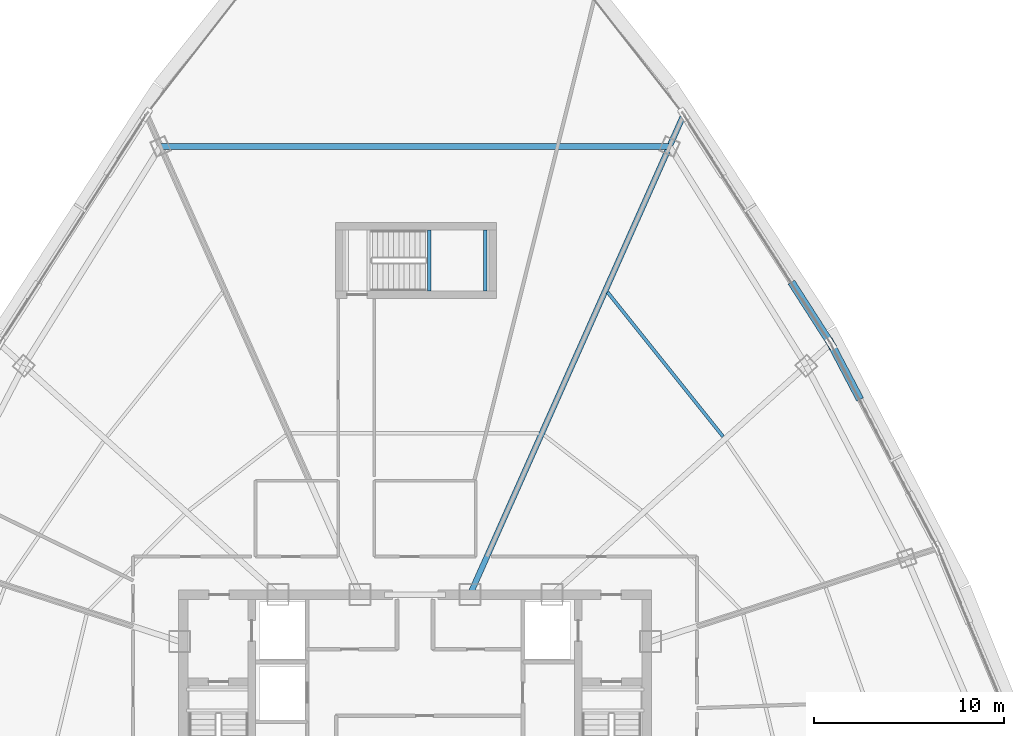
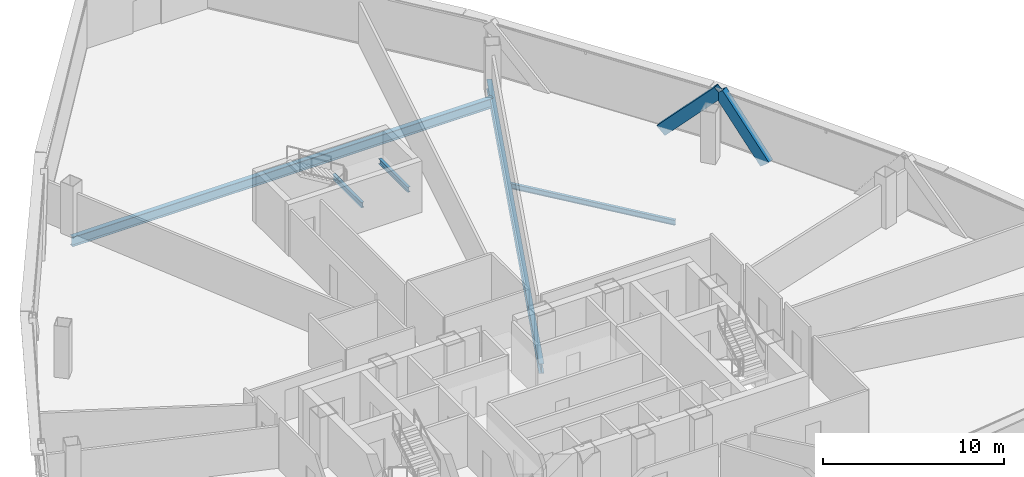
# One storey, part 22 of 37: 5 beams, 2 members.
"""IFC4 building model written with IfcOpenShell, lengths in metres."""

from ifc_helpers import new_model, si_unit, direction, frame, origin, origin_2d, place, context, subcontext, project, spatial, hollow_rectangle, i_section, extrude, source, transform, mapped, material, material_profile, profile_set, type_object, element, save


model = new_model("IFC4")

# Units and contexts
model_context = context("Model", 3, precision=1e-05, world=origin(), true_north=direction((0.0, 1.0)))
body_context = subcontext(model_context, "Body", "Model", "MODEL_VIEW")
ifc_project = project(units=[si_unit("LENGTHUNIT", "METRE"), si_unit("AREAUNIT", "SQUARE_METRE"), si_unit("VOLUMEUNIT", "CUBIC_METRE"), si_unit("PLANEANGLEUNIT", "RADIAN"), si_unit("MASSUNIT", "GRAM", prefix="KILO"), si_unit("THERMODYNAMICTEMPERATUREUNIT", "KELVIN"), si_unit("POWERUNIT", "WATT")], contexts=[model_context])

# Site, building, storey
site_placement = place(None, origin())
site = spatial("IfcSite", under=ifc_project, at=site_placement, CompositionType="ELEMENT")
building_placement = place(site_placement, origin())
building = spatial("IfcBuilding", under=site, at=building_placement, Name="Yunzhuo Pagoda Commons", CompositionType="ELEMENT")
storey_placement = place(building_placement, frame((0.0, 0.0, 251.989990234375)))
storey = spatial("IfcBuildingStorey", under=building, at=storey_placement, Name="L63", CompositionType="ELEMENT", Elevation=251.989990234375)

# Beams
ifc_material = material(Name="Structural steel Q355B", Category="steel")
ifc_material_profile_1 = material_profile(ifc_material, i_section(OverallWidth=0.175048828125, OverallDepth=0.35009765625, WebThickness=0.007080078125, FlangeThickness=0.010986328125, at=origin_2d()), Name="Structural steel Q355B")
ifc_profile_set_1 = profile_set([ifc_material_profile_1], Name="Structural steel Q355B")
beam_type_1 = type_object("IfcBeamType", Name="B-JS2 Joist HN 350x175x7x11", PredefinedType="JOIST", material=ifc_profile_set_1)
shared_shape_1 = source(origin(), body_context, "Body", "SweptSolid", [
    extrude(i_section(OverallWidth=0.175048828125, OverallDepth=0.35009765625, WebThickness=0.007080078125, FlangeThickness=0.010986328125, at=origin_2d()), origin(), (0.0, 0.0, 1.0), 3.199951171875),
])
for number, where, z_axis, x_axis, name in (
    (1, (48.75, 56.199951171875, 1.490234375), (0.0, 1.0, 0.0), (-1.0, 0.0, 0.0), "L63 ST3 landing support beam 69A"),
    (2, (51.699951171875, 56.199951171875, 1.490234375), (0.0, 1.0, 0.0), (-1.0, 0.0, 0.0), "L63 ST3 landing support beam 69B"),
):
    element("IfcBeam", number, at=place(storey_placement, frame(where, z_axis=z_axis, x_axis=x_axis)), inside=storey, type_object=beam_type_1, Name=name, PredefinedType="JOIST", context=body_context, shape_type="MappedRepresentation", body=[
        mapped(shared_shape_1, transform((0.0, 0.0, 0.0), scale=1.0)),
    ])
ifc_material_profile_2 = material_profile(ifc_material, i_section(OverallWidth=0.300048828125, OverallDepth=0.64990234375, WebThickness=0.012939453125, FlangeThickness=0.02197265625, at=origin_2d()), Name="Structural steel Q355B")
ifc_profile_set_2 = profile_set([ifc_material_profile_2], Name="Structural steel Q355B")
beam_type_2 = type_object("IfcBeamType", Name="B-RG2 Beam HN 650x300x13x22", PredefinedType="BEAM", material=ifc_profile_set_2)
shared_shape_2 = source(origin(), body_context, "Body", "SweptSolid", [
    extrude(i_section(OverallWidth=0.300048828125, OverallDepth=0.64990234375, WebThickness=0.012939453125, FlangeThickness=0.02197265625, at=origin_2d()), origin(), (0.0, 0.0, 1.0), 26.8134765625),
])
beam_1_placement = place(storey_placement, frame((61.40673828125, 63.81201171875, -0.5849609375), z_axis=(-1.0, 0.0, 0.0), x_axis=(0.0, -1.0, 0.0)))
element("IfcBeam", 3, at=beam_1_placement, inside=storey, type_object=beam_type_2, Name="L63 column-ring beam 8", PredefinedType="BEAM", context=body_context, shape_type="MappedRepresentation", body=[
    mapped(shared_shape_2, transform((0.0, 0.0, 0.0), scale=1.0)),
])
shared_shape_3 = source(origin(), body_context, "Body", "SweptSolid", [
    extrude(i_section(OverallWidth=0.175048828125, OverallDepth=0.35009765625, WebThickness=0.007080078125, FlangeThickness=0.010986328125, at=origin_2d()), origin(), (0.0, 0.0, 1.0), 9.741455078125),
])
beam_2_placement = place(storey_placement, frame((64.226806640625, 48.5244140625, -0.43505859375), z_axis=(-0.624618636222, 0.780929932378, 0.0), x_axis=(-0.780929932378, -0.624618636222, 0.0)))
element("IfcBeam", 4, at=beam_2_placement, inside=storey, type_object=beam_type_1, Name="L63 composite ring joist 2.7", PredefinedType="JOIST", context=body_context, shape_type="MappedRepresentation", body=[
    mapped(shared_shape_3, transform((0.0, 0.0, 0.0), scale=1.0)),
])
shared_shape_4 = source(origin(), body_context, "Body", "SweptSolid", [
    extrude(i_section(OverallWidth=0.300048828125, OverallDepth=0.64990234375, WebThickness=0.012939453125, FlangeThickness=0.02197265625, at=origin_2d()), origin(), (0.0, 0.0, 1.0), 27.535888671875),
])
beam_3_placement = place(storey_placement, frame((62.09375, 65.355224609375, -0.5849609375), z_axis=(-0.406732330498, -0.913547377714, 0.0), x_axis=(0.913547377714, -0.406732330498, 0.0)))
element("IfcBeam", 5, at=beam_3_placement, inside=storey, type_object=beam_type_2, Name="L63 radial floor girder F2C4", PredefinedType="BEAM", context=body_context, shape_type="MappedRepresentation", body=[
    mapped(shared_shape_4, transform((0.0, 0.0, 0.0), scale=1.0)),
])

# Members
ifc_material_profile_3 = material_profile(ifc_material, hollow_rectangle(XDim=0.39990234375, YDim=0.719970703125, WallThickness=0.02392578125, at=origin_2d()), Name="Structural steel Q355B")
ifc_profile_set_3 = profile_set([ifc_material_profile_3], Name="Structural steel Q355B")
member_type = type_object("IfcMemberType", Name="M-DL2 Brace BOX 720x400x24", PredefinedType="BRACE", material=ifc_profile_set_3)
shared_shape_5 = source(origin(), body_context, "Body", "SweptSolid", [
    extrude(hollow_rectangle(XDim=0.39990234375, YDim=0.719970703125, WallThickness=0.02392578125, at=origin_2d()), origin(), (0.0, 0.0, 1.0), 4.8115234375),
])
member_1_placement = place(storey_placement, frame((71.31298828125, 50.72802734375, -0.259765625), z_axis=(-0.293224702706, 0.559608106271, 0.775150334528), x_axis=(-0.885768648885, -0.464127030729, 0.0)))
element("IfcMember", 6, at=member_1_placement, inside=storey, type_object=member_type, Name="L63 facade diamond brace F2.2R", PredefinedType="BRACE", context=body_context, shape_type="MappedRepresentation", body=[
    mapped(shared_shape_5, transform((0.0, 0.0, 0.0), scale=1.0)),
])
shared_shape_6 = source(origin(), body_context, "Body", "SweptSolid", [
    extrude(hollow_rectangle(XDim=0.39990234375, YDim=0.719970703125, WallThickness=0.02392578125, at=origin_2d()), origin(), (0.0, 0.0, 1.0), 5.174560546875),
])
member_2_placement = place(storey_placement, frame((67.965576171875, 56.439697265625, -0.259765625), z_axis=(0.374242004847, -0.583443851732, 0.720788591534), x_axis=(0.841722097798, 0.539911020519, 0.0)))
element("IfcMember", 7, at=member_2_placement, inside=storey, type_object=member_type, Name="L63 facade diamond brace F2.3L", PredefinedType="BRACE", context=body_context, shape_type="MappedRepresentation", body=[
    mapped(shared_shape_6, transform((0.0, 0.0, 0.0), scale=1.0)),
])

save(model, "model.ifc")
